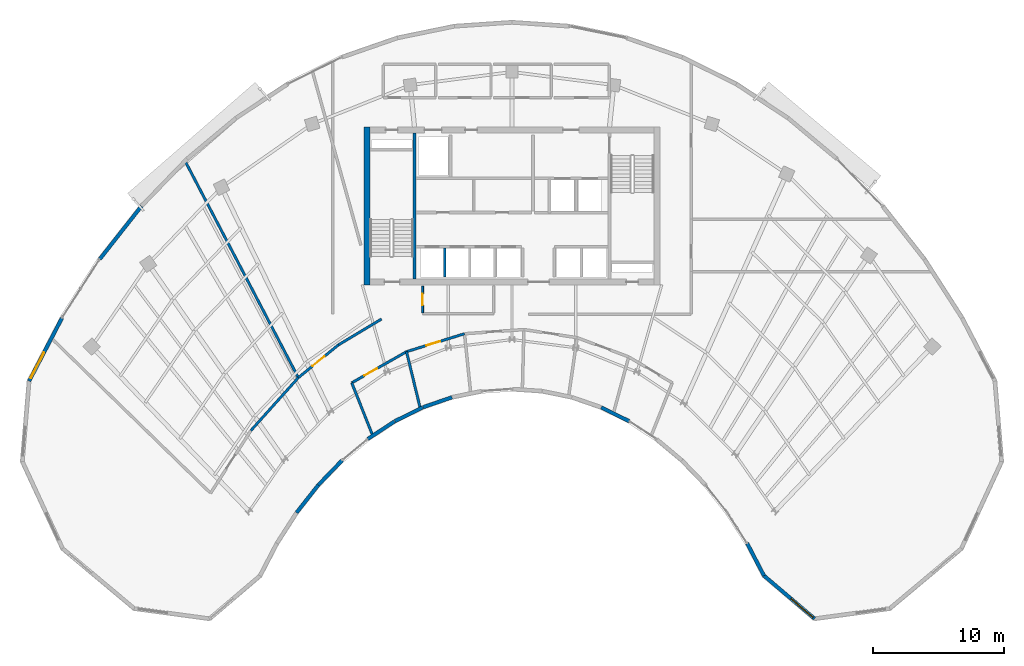
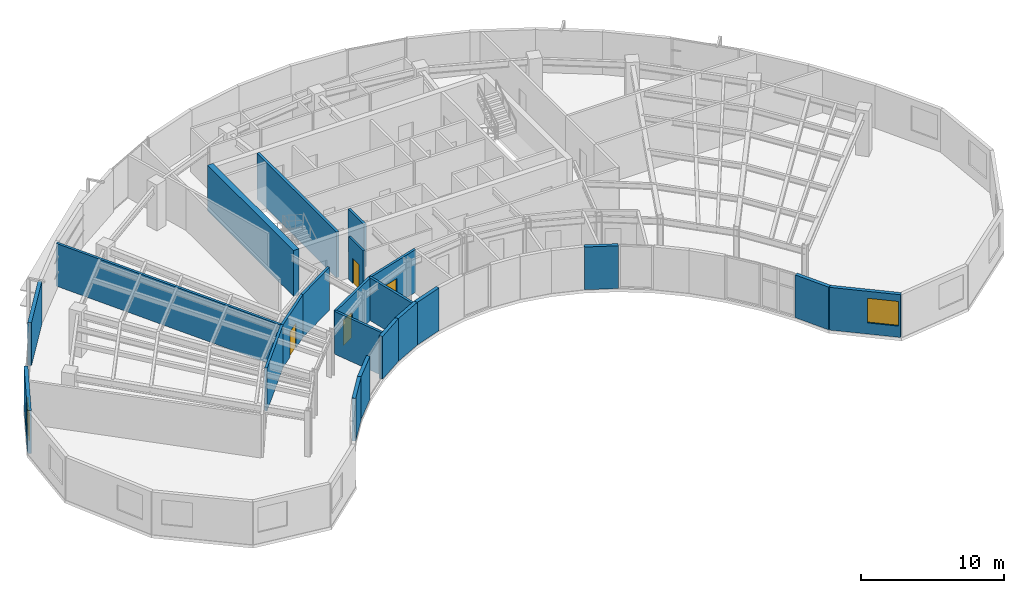
# One storey, part 8 of 14: 22 walls, 4 doors, 2 windows, 6 openings.
"""IFC4 building model written with IfcOpenShell, lengths in metres."""

from ifc_helpers import new_model, si_unit, direction, frame, frame_2d, origin, place, context, subcontext, project, spatial, rectangle, extrude, source, transform, mapped, material, layer, layer_set, type_object, type_shapes, element, fill, save


model = new_model("IFC4")

# Units and contexts
model_context = context("Model", 3, precision=1e-05, world=origin(), true_north=direction((0.0, 1.0)))
body_context = subcontext(model_context, "Body", "Model", "MODEL_VIEW")
ifc_project = project(units=[si_unit("LENGTHUNIT", "METRE"), si_unit("AREAUNIT", "SQUARE_METRE"), si_unit("VOLUMEUNIT", "CUBIC_METRE"), si_unit("PLANEANGLEUNIT", "RADIAN"), si_unit("MASSUNIT", "GRAM", prefix="KILO")], contexts=[model_context])

# Site, building, storey
site_placement = place(None, origin())
site = spatial("IfcSite", under=ifc_project, at=site_placement, CompositionType="ELEMENT")
building_placement = place(site_placement, origin())
building = spatial("IfcBuilding", under=site, at=building_placement, Name="Breltana Convention Tower", CompositionType="ELEMENT")
storey_placement = place(building_placement, frame((0.0, 0.0, 219.60009765625)))
storey = spatial("IfcBuildingStorey", under=building, at=storey_placement, Name="L53", CompositionType="ELEMENT", Elevation=219.60009765625)

# Walls
ifc_material_1 = material(Name="Concrete C60/75", Category="concrete")
ifc_layer_1 = layer(ifc_material_1, 0.449951171875, Name="Concrete C60/75")
ifc_layer_set_1 = layer_set([ifc_layer_1], Name="Concrete C60/75")
wall_type_1 = type_object("IfcWallType", Name="SW-CORE-450", PredefinedType="SHEAR", material=ifc_layer_set_1)
shared_shape_1 = source(origin(), body_context, "Body", "SweptSolid", [
    extrude(rectangle(XDim=12.0, YDim=0.449951171875, at=frame_2d((6.0, 0.0))), origin(), (0.0, 0.0, 1.0), 3.89990234375),
])
wall_1_placement = place(storey_placement, frame((36.97509765625, 60.199951171875, 0.0), z_axis=(0.0, 0.0, 1.0), x_axis=(0.0, 1.0, 0.0)))
element("IfcWall", 1, at=wall_1_placement, inside=storey, type_object=wall_type_1, Name="L53 West Core Shear Wall", PredefinedType="SHEAR", context=body_context, shape_type="MappedRepresentation", body=[
    mapped(shared_shape_1, transform((0.0, 0.0, 0.0), scale=1.0)),
])
ifc_material_2 = material(Name="Concrete C50/60", Category="concrete")
ifc_layer_2 = layer(ifc_material_2, 0.39990234375, Name="Concrete C50/60")
ifc_layer_set_2 = layer_set([ifc_layer_2], Name="Concrete C50/60")
wall_type_2 = type_object("IfcWallType", Name="SW-CORE-400", PredefinedType="SHEAR", material=ifc_layer_set_2)
shared_shape_2 = source(origin(), body_context, "Body", "SweptSolid", [
    extrude(rectangle(XDim=11.10009765625, YDim=0.219970703125, at=frame_2d((5.550048828125, 0.0))), origin(), (0.0, 0.0, 1.0), 3.89990234375),
])
wall_2_placement = place(storey_placement, frame((40.580078125, 60.64990234375, 0.0), z_axis=(0.0, 0.0, 1.0), x_axis=(0.0, 1.0, 0.0)))
element("IfcWall", 2, at=wall_2_placement, inside=storey, type_object=wall_type_2, Name="L53 Core West Stair Spine Wall", PredefinedType="SHEAR", context=body_context, shape_type="MappedRepresentation", body=[
    mapped(shared_shape_2, transform((0.0, 0.0, 0.0), scale=1.0)),
])

# Wall, opening, window
ifc_material_3 = material(Name="Limestone Buff Insulated Wall", Category="masonry")
ifc_layer_3 = layer(ifc_material_3, 0.280029296875, Name="Limestone Buff Insulated Wall")
ifc_layer_set_3 = layer_set([ifc_layer_3], Name="Limestone Buff Insulated Wall")
wall_type_3 = type_object("IfcWallType", Name="WL-EXT-NOSE-280", PredefinedType="SOLIDWALL", material=ifc_layer_set_3)
shared_shape_3 = source(origin(), body_context, "Body", "SweptSolid", [
    extrude(rectangle(XDim=5.051025390625, YDim=0.280029296875, at=frame_2d((2.525390625, 0.0))), origin(), (0.0, 0.0, 1.0), 3.639892578125),
])
wall_3_placement = place(storey_placement, frame((71.030517578125, 34.784423828125, 0.0), z_axis=(0.0, 0.0, 1.0), x_axis=(-0.761904731537, 0.647689107568, 0.0)))
wall_3 = element("IfcWall", 3, at=wall_3_placement, inside=storey, type_object=wall_type_3, Name="L53 curved limestone nose wall E5", PredefinedType="SOLIDWALL", context=body_context, shape_type="MappedRepresentation", body=[
    mapped(shared_shape_3, transform((0.0, 0.0, 0.0), scale=1.0)),
])
opening_1_placement = place(wall_3_placement, frame((0.16259765625, 0.0, 0.949951171875)))
opening_1 = element("IfcOpeningElement", 4, at=opening_1_placement, cuts=wall_3, Name="Opening W-03", PredefinedType="OPENING", context=body_context, shape_type="SweptSolid", body=[
    extrude(rectangle(XDim=2.199951171875, YDim=2.10009765625, at=frame_2d((1.10009765625, 1.050048828125))), frame((0.0, 0.14990234375, 0.0), z_axis=(0.0, -1.0, 0.0), x_axis=(1.0, 0.0, 0.0)), (0.0, 0.0, 1.0), 0.300048828125),
])
ifc_material_4 = material(Name="Glass Low-E Insulated Window", Category="glass")
window_type = type_object("IfcWindowType", Name="WN-NOSE-2200X2100", PartitioningType="TRIPLE_PANEL_VERTICAL", PredefinedType="WINDOW", material=ifc_material_4)
shared_shape_4 = source(origin(), body_context, "Body", "SweptSolid", [
    extrude(rectangle(XDim=2.199951171875, YDim=2.10009765625, at=frame_2d((1.10009765625, 1.050048828125))), frame((0.0, 0.030029296875, 0.0), z_axis=(0.0, -1.0, 0.0), x_axis=(1.0, 0.0, 0.0)), (0.0, 0.0, 1.0), 0.06005859375),
])
type_shapes(window_type, [shared_shape_4])
window_1_placement = place(opening_1_placement, origin())
window_1 = element("IfcWindow", 5, at=window_1_placement, inside=storey, type_object=window_type, Name="L53 nose window E5", OverallHeight=2.10009765625, OverallWidth=2.199951171875, PartitioningType="TRIPLE_PANEL_VERTICAL", PredefinedType="WINDOW", context=body_context, shape_type="MappedRepresentation", body=[
    mapped(shared_shape_4, transform((0.0, 0.0, 0.0), scale=1.0)),
])
fill(opening_1, window_1)

# Walls
shared_shape_5 = source(origin(), body_context, "Body", "SweptSolid", [
    extrude(rectangle(XDim=2.779296875, YDim=0.280029296875, at=frame_2d((1.3896484375, 0.0))), origin(), (0.0, 0.0, 1.0), 3.639892578125),
])
wall_4_placement = place(storey_placement, frame((67.18212890625, 38.055908203125, 0.0), z_axis=(0.0, 0.0, 1.0), x_axis=(-0.461770308601, 0.886999538948, 0.0)))
element("IfcWall", 6, at=wall_4_placement, inside=storey, type_object=wall_type_3, Name="L53 curved limestone nose wall E6", PredefinedType="SOLIDWALL", context=body_context, shape_type="MappedRepresentation", body=[
    mapped(shared_shape_5, transform((0.0, 0.0, 0.0), scale=1.0)),
])
shared_shape_6 = source(origin(), body_context, "Body", "SweptSolid", [
    extrude(rectangle(XDim=2.587646484375, YDim=0.280029296875, at=frame_2d((1.2939453125, 0.0))), origin(), (0.0, 0.0, 1.0), 3.639892578125),
])
wall_5_placement = place(storey_placement, frame((35.05810546875, 46.82763671875, 0.0), z_axis=(0.0, 0.0, 1.0), x_axis=(-0.694687114507, -0.719312041424, 0.0)))
element("IfcWall", 7, at=wall_5_placement, inside=storey, type_object=wall_type_3, Name="L53 curved limestone nose wall E17", PredefinedType="SOLIDWALL", context=body_context, shape_type="MappedRepresentation", body=[
    mapped(shared_shape_6, transform((0.0, 0.0, 0.0), scale=1.0)),
])
shared_shape_7 = source(origin(), body_context, "Body", "SweptSolid", [
    extrude(rectangle(XDim=2.440185546875, YDim=0.280029296875, at=frame_2d((1.22021484375, 0.0))), origin(), (0.0, 0.0, 1.0), 3.639892578125),
])
wall_6_placement = place(storey_placement, frame((39.05712890625, 49.80078125, 0.0), z_axis=(0.0, 0.0, 1.0), x_axis=(-0.83598480459, -0.548752591333, 0.0)))
element("IfcWall", 8, at=wall_6_placement, inside=storey, type_object=wall_type_3, Name="L53 curved limestone nose wall E16", PredefinedType="SOLIDWALL", context=body_context, shape_type="MappedRepresentation", body=[
    mapped(shared_shape_7, transform((0.0, 0.0, 0.0), scale=1.0)),
])
shared_shape_8 = source(origin(), body_context, "Body", "SweptSolid", [
    extrude(rectangle(XDim=2.327880859375, YDim=0.280029296875, at=frame_2d((1.1640625, 0.0))), origin(), (0.0, 0.0, 1.0), 3.639892578125),
])
wall_7_placement = place(storey_placement, frame((43.427001953125, 51.638671875, 0.0), z_axis=(0.0, 0.0, 1.0), x_axis=(-0.944872545641, -0.32743834915, 0.0)))
element("IfcWall", 9, at=wall_7_placement, inside=storey, type_object=wall_type_3, Name="L53 curved limestone nose wall E14", PredefinedType="SOLIDWALL", context=body_context, shape_type="MappedRepresentation", body=[
    mapped(shared_shape_8, transform((0.0, 0.0, 0.0), scale=1.0)),
])
shared_shape_9 = source(origin(), body_context, "Body", "SweptSolid", [
    extrude(rectangle(XDim=2.377685546875, YDim=0.280029296875, at=frame_2d((1.18896484375, 0.0))), origin(), (0.0, 0.0, 1.0), 3.639892578125),
])
for number, where, z_axis, x_axis, name in (
    (10, (56.923828125, 49.8115234375, 0.0), (0.0, 0.0, 1.0), (-0.895941616831, 0.444171835252, 0.0), "L53 curved limestone nose wall E9"),
    (11, (41.20654296875, 50.86767578125, 0.0), (0.0, 0.0, 1.0), (-0.895941616831, -0.444171835252, 0.0), "L53 curved limestone nose wall E15"),
):
    element("IfcWall", number, at=place(storey_placement, frame(where, z_axis=z_axis, x_axis=x_axis)), inside=storey, type_object=wall_type_3, Name=name, PredefinedType="SOLIDWALL", context=body_context, shape_type="MappedRepresentation", body=[
        mapped(shared_shape_9, transform((0.0, 0.0, 0.0), scale=1.0)),
    ])
shared_shape_10 = source(origin(), body_context, "Body", "SweptSolid", [
    extrude(rectangle(XDim=2.66552734375, YDim=0.280029296875, at=frame_2d((1.332763671875, 0.0))), origin(), (0.0, 0.0, 1.0), 3.639892578125),
])
wall_8_placement = place(storey_placement, frame((33.24853515625, 44.952392578125, 0.0), z_axis=(0.0, 0.0, 1.0), x_axis=(-0.618161284122, -0.786051287648, 0.0)))
element("IfcWall", 12, at=wall_8_placement, inside=storey, type_object=wall_type_3, Name="L53 curved limestone nose wall E18", PredefinedType="SOLIDWALL", context=body_context, shape_type="MappedRepresentation", body=[
    mapped(shared_shape_10, transform((0.0, 0.0, 0.0), scale=1.0)),
])

# Wall, opening, window
shared_shape_11 = source(origin(), body_context, "Body", "SweptSolid", [
    extrude(rectangle(XDim=5.41552734375, YDim=0.280029296875, at=frame_2d((2.707763671875, 0.0))), origin(), (0.0, 0.0, 1.0), 3.639892578125),
])
wall_9_placement = place(storey_placement, frame((11.243896484375, 52.87353515625, 0.0), z_axis=(0.0, 0.0, 1.0), x_axis=(0.46177852435, 0.886995261796, 0.0)))
wall_9 = element("IfcWall", 13, at=wall_9_placement, inside=storey, type_object=wall_type_3, Name="L53 curved limestone nose wall W7", PredefinedType="SOLIDWALL", context=body_context, shape_type="MappedRepresentation", body=[
    mapped(shared_shape_11, transform((0.0, 0.0, 0.0), scale=1.0)),
])
opening_2_placement = place(wall_9_placement, frame((0.25390625, 0.0, 0.949951171875)))
opening_2 = element("IfcOpeningElement", 14, at=opening_2_placement, cuts=wall_9, Name="Opening W-03", PredefinedType="OPENING", context=body_context, shape_type="SweptSolid", body=[
    extrude(rectangle(XDim=2.199951171875, YDim=2.10009765625, at=frame_2d((1.10009765625, 1.050048828125))), frame((0.0, 0.14990234375, 0.0), z_axis=(0.0, -1.0, 0.0), x_axis=(1.0, 0.0, 0.0)), (0.0, 0.0, 1.0), 0.300048828125),
])
window_2_placement = place(opening_2_placement, origin())
window_2 = element("IfcWindow", 15, at=window_2_placement, inside=storey, type_object=window_type, Name="L53 nose window W7", OverallHeight=2.10009765625, OverallWidth=2.199951171875, PartitioningType="TRIPLE_PANEL_VERTICAL", PredefinedType="WINDOW", context=body_context, shape_type="MappedRepresentation", body=[
    mapped(shared_shape_4, transform((0.0, 0.0, 0.0), scale=1.0)),
])
fill(opening_2, window_2)

# Walls
shared_shape_12 = source(origin(), body_context, "Body", "SweptSolid", [
    extrude(rectangle(XDim=5.153076171875, YDim=0.280029296875, at=frame_2d((2.57666015625, 0.0))), origin(), (0.0, 0.0, 1.0), 3.639892578125),
])
wall_10_placement = place(storey_placement, frame((16.609130859375, 62.1396484375, 0.0), z_axis=(0.0, 0.0, 1.0), x_axis=(0.618179283891, 0.786037132054, 0.0)))
element("IfcWall", 16, at=wall_10_placement, inside=storey, type_object=wall_type_3, Name="L53 curved limestone nose wall E20", PredefinedType="SOLIDWALL", context=body_context, shape_type="MappedRepresentation", body=[
    mapped(shared_shape_12, transform((0.0, 0.0, 0.0), scale=1.0)),
])
ifc_material_5 = material(Name="Autoclaved Aerated Concrete Block", Category="concrete")
ifc_layer_4 = layer(ifc_material_5, 0.199951171875, Name="Autoclaved Aerated Concrete Block")
ifc_layer_set_4 = layer_set([ifc_layer_4], Name="Autoclaved Aerated Concrete Block")
wall_type_4 = type_object("IfcWallType", Name="WL-SHAFT-200", PredefinedType="SOLIDWALL", material=ifc_layer_set_4)
shared_shape_13 = source(origin(), body_context, "Body", "SweptSolid", [
    extrude(rectangle(XDim=2.199951171875, YDim=0.199951171875, at=frame_2d((1.10009765625, 0.0))), origin(), (0.0, 0.0, 1.0), 3.639892578125),
])
wall_11_placement = place(storey_placement, frame((42.8701171875, 60.800048828125, 0.0), z_axis=(0.0, 0.0, 1.0), x_axis=(0.0, 1.0, 0.0)))
element("IfcWall", 17, at=wall_11_placement, inside=storey, type_object=wall_type_4, Name="L53 interior partition W-L53-SH-S-DIV1", PredefinedType="SOLIDWALL", context=body_context, shape_type="MappedRepresentation", body=[
    mapped(shared_shape_13, transform((0.0, 0.0, 0.0), scale=1.0)),
])

# Wall, opening, door
ifc_material_6 = material(Name="Gypsum Acoustic Drywall Partition")
ifc_layer_5 = layer(ifc_material_6, 0.14990234375, Name="Gypsum Acoustic Drywall Partition")
ifc_layer_set_5 = layer_set([ifc_layer_5], Name="Gypsum Acoustic Drywall Partition")
wall_type_5 = type_object("IfcWallType", Name="WL-PART-150", PredefinedType="PARTITIONING", material=ifc_layer_set_5)
shared_shape_14 = source(origin(), body_context, "Body", "SweptSolid", [
    extrude(rectangle(XDim=2.03271484375, YDim=0.14990234375, at=frame_2d((1.016357421875, 0.0))), origin(), (0.0, 0.0, 1.0), 3.639892578125),
])
wall_12_placement = place(storey_placement, frame((41.199951171875, 58.0673828125, 0.0), z_axis=(0.0, 0.0, 1.0), x_axis=(0.0, 1.0, 0.0)))
wall_12 = element("IfcWall", 18, at=wall_12_placement, inside=storey, type_object=wall_type_5, Name="L53 interior partition W-L53-CRSC-W", PredefinedType="PARTITIONING", context=body_context, shape_type="MappedRepresentation", body=[
    mapped(shared_shape_14, transform((0.0, 0.0, 0.0), scale=1.0)),
])
opening_3_placement = place(wall_12_placement, frame((0.59130859375, 0.0, 0.0)))
opening_3 = element("IfcOpeningElement", 19, at=opening_3_placement, cuts=wall_12, Name="Opening D-20", PredefinedType="OPENING", context=body_context, shape_type="SweptSolid", body=[
    extrude(rectangle(XDim=0.85009765625, YDim=2.10009765625, at=frame_2d((0.425048828125, 1.050048828125))), frame((0.0, 0.0849609375, 0.0), z_axis=(0.0, -1.0, 0.0), x_axis=(1.0, 0.0, 0.0)), (0.0, 0.0, 1.0), 0.169921875),
])
ifc_material_7 = material(Name="Steel Closet Fire Door", Category="steel")
door_type_1 = type_object("IfcDoorType", Name="DR-FD60-850", OperationType="NOTDEFINED", PredefinedType="DOOR", material=ifc_material_7)
shared_shape_15 = source(origin(), body_context, "Body", "SweptSolid", [
    extrude(rectangle(XDim=0.85009765625, YDim=2.10009765625, at=frame_2d((0.425048828125, 1.050048828125))), frame((0.0, 0.02490234375, 0.0), z_axis=(0.0, -1.0, 0.0), x_axis=(1.0, 0.0, 0.0)), (0.0, 0.0, 1.0), 0.050048828125),
])
type_shapes(door_type_1, [shared_shape_15])
door_1_placement = place(opening_3_placement, origin())
door_1 = element("IfcDoor", 20, at=door_1_placement, inside=storey, type_object=door_type_1, Name="L53 interior door D-L53-CRSC", OperationType="SINGLE_SWING_RIGHT", OverallHeight=2.10009765625, OverallWidth=0.85009765625, PredefinedType="DOOR", context=body_context, shape_type="MappedRepresentation", body=[
    mapped(shared_shape_15, transform((0.0, 0.0, 0.0), scale=1.0)),
])
fill(opening_3, door_1)

ifc_material_8 = material(Name="Gypsum Acoustic Hotel Wall")
ifc_layer_6 = layer(ifc_material_8, 0.195068359375, Name="Gypsum Acoustic Hotel Wall")
ifc_layer_set_6 = layer_set([ifc_layer_6], Name="Gypsum Acoustic Hotel Wall")
wall_type_6 = type_object("IfcWallType", Name="WL-HOTEL-200", PredefinedType="PARTITIONING", material=ifc_layer_set_6)
shared_shape_16 = source(origin(), body_context, "Body", "SweptSolid", [
    extrude(rectangle(XDim=4.7958984375, YDim=0.195068359375, at=frame_2d((2.39794921875, 0.0))), origin(), (0.0, 0.0, 1.0), 3.639892578125),
])
wall_13_placement = place(storey_placement, frame((35.802978515625, 52.73828125, 0.0), z_axis=(0.0, 0.0, 1.0), x_axis=(0.869231352707, 0.494405557686, 0.0)))
wall_13 = element("IfcWall", 21, at=wall_13_placement, inside=storey, type_object=wall_type_6, Name="L53 interior partition W-L53-ES1-COR", PredefinedType="PARTITIONING", context=body_context, shape_type="MappedRepresentation", body=[
    mapped(shared_shape_16, transform((0.0, 0.0, 0.0), scale=1.0)),
])
opening_4_placement = place(wall_13_placement, frame((1.097900390625, 0.0, 0.0)))
opening_4 = element("IfcOpeningElement", 22, at=opening_4_placement, cuts=wall_13, Name="Opening D-12", PredefinedType="OPENING", context=body_context, shape_type="SweptSolid", body=[
    extrude(rectangle(XDim=1.10009765625, YDim=2.14990234375, at=frame_2d((0.550048828125, 1.074951171875))), frame((0.0, 0.107421875, 0.0), z_axis=(0.0, -1.0, 0.0), x_axis=(1.0, 0.0, 0.0)), (0.0, 0.0, 1.0), 0.215087890625),
])
ifc_material_9 = material(Name="Timber Oak Acoustic Door", Category="wood")
door_type_2 = type_object("IfcDoorType", Name="DR-INT-1100", OperationType="NOTDEFINED", PredefinedType="DOOR", material=ifc_material_9)
shared_shape_17 = source(origin(), body_context, "Body", "SweptSolid", [
    extrude(rectangle(XDim=1.10009765625, YDim=2.14990234375, at=frame_2d((0.550048828125, 1.074951171875))), frame((0.0, 0.02490234375, 0.0), z_axis=(0.0, -1.0, 0.0), x_axis=(1.0, 0.0, 0.0)), (0.0, 0.0, 1.0), 0.050048828125),
])
type_shapes(door_type_2, [shared_shape_17])
door_2_placement = place(opening_4_placement, origin())
door_2 = element("IfcDoor", 23, at=door_2_placement, inside=storey, type_object=door_type_2, Name="L53 interior door D-L53-ES1", OperationType="SINGLE_SWING_LEFT", OverallHeight=2.14990234375, OverallWidth=1.10009765625, PredefinedType="DOOR", context=body_context, shape_type="MappedRepresentation", body=[
    mapped(shared_shape_17, transform((0.0, 0.0, 0.0), scale=1.0)),
])
fill(opening_4, door_2)

# Walls
shared_shape_18 = source(origin(), body_context, "Body", "SweptSolid", [
    extrude(rectangle(XDim=4.3203125, YDim=0.195068359375, at=frame_2d((2.16015625, 0.0))), origin(), (0.0, 0.0, 1.0), 3.639892578125),
])
wall_14_placement = place(storey_placement, frame((37.396484375, 48.72265625, 0.0), z_axis=(0.0, 0.0, 1.0), x_axis=(-0.368846295269, 0.929490403644, 0.0)))
element("IfcWall", 24, at=wall_14_placement, inside=storey, type_object=wall_type_6, Name="L53 interior partition W-L53-ES1-RA", PredefinedType="PARTITIONING", context=body_context, shape_type="MappedRepresentation", body=[
    mapped(shared_shape_18, transform((0.0, 0.0, 0.0), scale=1.0)),
])
shared_shape_19 = source(origin(), body_context, "Body", "SweptSolid", [
    extrude(rectangle(XDim=4.4482421875, YDim=0.195068359375, at=frame_2d((2.22412109375, 0.0))), origin(), (0.0, 0.0, 1.0), 3.639892578125),
])
wall_15_placement = place(storey_placement, frame((41.02001953125, 50.786376953125, 0.0), z_axis=(0.0, 0.0, 1.0), x_axis=(-0.235672283469, 0.971832585791, 0.0)))
element("IfcWall", 25, at=wall_15_placement, inside=storey, type_object=wall_type_6, Name="L53 interior partition W-L53-ES1-RB", PredefinedType="PARTITIONING", context=body_context, shape_type="MappedRepresentation", body=[
    mapped(shared_shape_19, transform((0.0, 0.0, 0.0), scale=1.0)),
])

# Wall, opening, door
shared_shape_20 = source(origin(), body_context, "Body", "SweptSolid", [
    extrude(rectangle(XDim=4.618896484375, YDim=0.195068359375, at=frame_2d((2.3095703125, 0.0))), origin(), (0.0, 0.0, 1.0), 3.639892578125),
])
wall_16_placement = place(storey_placement, frame((39.9716796875, 55.109375, 0.0), z_axis=(0.0, 0.0, 1.0), x_axis=(0.955335644135, 0.295522938274, 0.0)))
wall_16 = element("IfcWall", 26, at=wall_16_placement, inside=storey, type_object=wall_type_6, Name="L53 interior partition W-L53-ES2-COR", PredefinedType="PARTITIONING", context=body_context, shape_type="MappedRepresentation", body=[
    mapped(shared_shape_20, transform((0.0, 0.0, 0.0), scale=1.0)),
])
opening_5_placement = place(wall_16_placement, frame((1.5595703125, 0.0, 0.0)))
opening_5 = element("IfcOpeningElement", 27, at=opening_5_placement, cuts=wall_16, Name="Opening D-12", PredefinedType="OPENING", context=body_context, shape_type="SweptSolid", body=[
    extrude(rectangle(XDim=1.10009765625, YDim=2.14990234375, at=frame_2d((0.550048828125, 1.074951171875))), frame((0.0, 0.107421875, 0.0), z_axis=(0.0, -1.0, 0.0), x_axis=(1.0, 0.0, 0.0)), (0.0, 0.0, 1.0), 0.215087890625),
])
door_3_placement = place(opening_5_placement, origin())
door_3 = element("IfcDoor", 28, at=door_3_placement, inside=storey, type_object=door_type_2, Name="L53 interior door D-L53-ES2", OperationType="SINGLE_SWING_RIGHT", OverallHeight=2.14990234375, OverallWidth=1.10009765625, PredefinedType="DOOR", context=body_context, shape_type="MappedRepresentation", body=[
    mapped(shared_shape_17, transform((0.0, 0.0, 0.0), scale=1.0)),
])
fill(opening_5, door_3)

# Walls
shared_shape_21 = source(origin(), body_context, "Body", "SweptSolid", [
    extrude(rectangle(XDim=5.406982421875, YDim=0.195068359375, at=frame_2d((2.70361328125, 0.0))), origin(), (0.0, 0.0, 1.0), 3.639892578125),
])
wall_17_placement = place(storey_placement, frame((28.122314453125, 49.105224609375, 0.0), z_axis=(0.0, 0.0, 1.0), x_axis=(0.667851383423, 0.744294652447, 0.0)))
element("IfcWall", 29, at=wall_17_placement, inside=storey, type_object=wall_type_6, Name="L53 interior partition W-L53-EXWR1-COR2", PredefinedType="PARTITIONING", context=body_context, shape_type="MappedRepresentation", body=[
    mapped(shared_shape_21, transform((0.0, 0.0, 0.0), scale=1.0)),
])
shared_shape_22 = source(origin(), body_context, "Body", "SweptSolid", [
    extrude(rectangle(XDim=18.5537109375, YDim=0.195068359375, at=frame_2d((9.27685546875, 0.0))), origin(), (0.0, 0.0, 1.0), 3.639892578125),
])
wall_18_placement = place(storey_placement, frame((31.71044921875, 53.173583984375, 0.0), z_axis=(0.0, 0.0, 1.0), x_axis=(-0.463116799203, 0.886297258427, 0.0)))
element("IfcWall", 30, at=wall_18_placement, inside=storey, type_object=wall_type_6, Name="L53 interior partition W-L53-EXWR1-RB", PredefinedType="PARTITIONING", context=body_context, shape_type="MappedRepresentation", body=[
    mapped(shared_shape_22, transform((0.0, 0.0, 0.0), scale=1.0)),
])

# Wall, opening, door
shared_shape_23 = source(origin(), body_context, "Body", "SweptSolid", [
    extrude(rectangle(XDim=3.9541015625, YDim=0.195068359375, at=frame_2d((1.97705078125, 0.0))), origin(), (0.0, 0.0, 1.0), 3.639892578125),
])
wall_19_placement = place(storey_placement, frame((31.7333984375, 53.129638671875, 0.0), z_axis=(0.0, 0.0, 1.0), x_axis=(0.774345047596, 0.632763579281, 0.0)))
wall_19 = element("IfcWall", 31, at=wall_19_placement, inside=storey, type_object=wall_type_6, Name="L53 interior partition W-L53-EXWR2-COR1", PredefinedType="PARTITIONING", context=body_context, shape_type="MappedRepresentation", body=[
    mapped(shared_shape_23, transform((0.0, 0.0, 0.0), scale=1.0)),
])
opening_6_placement = place(wall_19_placement, frame((1.376953125, 0.0, 0.0)))
opening_6 = element("IfcOpeningElement", 32, at=opening_6_placement, cuts=wall_19, Name="Opening D-10", PredefinedType="OPENING", context=body_context, shape_type="SweptSolid", body=[
    extrude(rectangle(XDim=1.199951171875, YDim=2.14990234375, at=frame_2d((0.60009765625, 1.074951171875))), frame((0.0, 0.107421875, 0.0), z_axis=(0.0, -1.0, 0.0), x_axis=(1.0, 0.0, 0.0)), (0.0, 0.0, 1.0), 0.215087890625),
])
ifc_material_10 = material(Name="Timber Oak Veneer Fire Door", Category="wood")
door_type_3 = type_object("IfcDoorType", Name="DR-INT-1200", OperationType="NOTDEFINED", PredefinedType="DOOR", material=ifc_material_10)
shared_shape_24 = source(origin(), body_context, "Body", "SweptSolid", [
    extrude(rectangle(XDim=1.199951171875, YDim=2.14990234375, at=frame_2d((0.60009765625, 1.074951171875))), frame((0.0, 0.02490234375, 0.0), z_axis=(0.0, -1.0, 0.0), x_axis=(1.0, 0.0, 0.0)), (0.0, 0.0, 1.0), 0.050048828125),
])
type_shapes(door_type_3, [shared_shape_24])
door_4_placement = place(opening_6_placement, origin())
door_4 = element("IfcDoor", 33, at=door_4_placement, inside=storey, type_object=door_type_3, Name="L53 interior door D-L53-EXWR2", OperationType="SINGLE_SWING_RIGHT", OverallHeight=2.14990234375, OverallWidth=1.199951171875, PredefinedType="DOOR", context=body_context, shape_type="MappedRepresentation", body=[
    mapped(shared_shape_24, transform((0.0, 0.0, 0.0), scale=1.0)),
])
fill(opening_6, door_4)

# Wall
shared_shape_25 = source(origin(), body_context, "Body", "SweptSolid", [
    extrude(rectangle(XDim=3.817138671875, YDim=0.195068359375, at=frame_2d((1.90869140625, 0.0))), origin(), (0.0, 0.0, 1.0), 3.639892578125),
])
wall_20_placement = place(storey_placement, frame((34.795166015625, 55.631591796875, 0.0), z_axis=(0.0, 0.0, 1.0), x_axis=(0.857453418218, 0.514561595522, 0.0)))
element("IfcWall", 34, at=wall_20_placement, inside=storey, type_object=wall_type_6, Name="L53 interior partition W-L53-EXWR2-COR2", PredefinedType="PARTITIONING", context=body_context, shape_type="MappedRepresentation", body=[
    mapped(shared_shape_25, transform((0.0, 0.0, 0.0), scale=1.0)),
])

save(model, "model.ifc")
